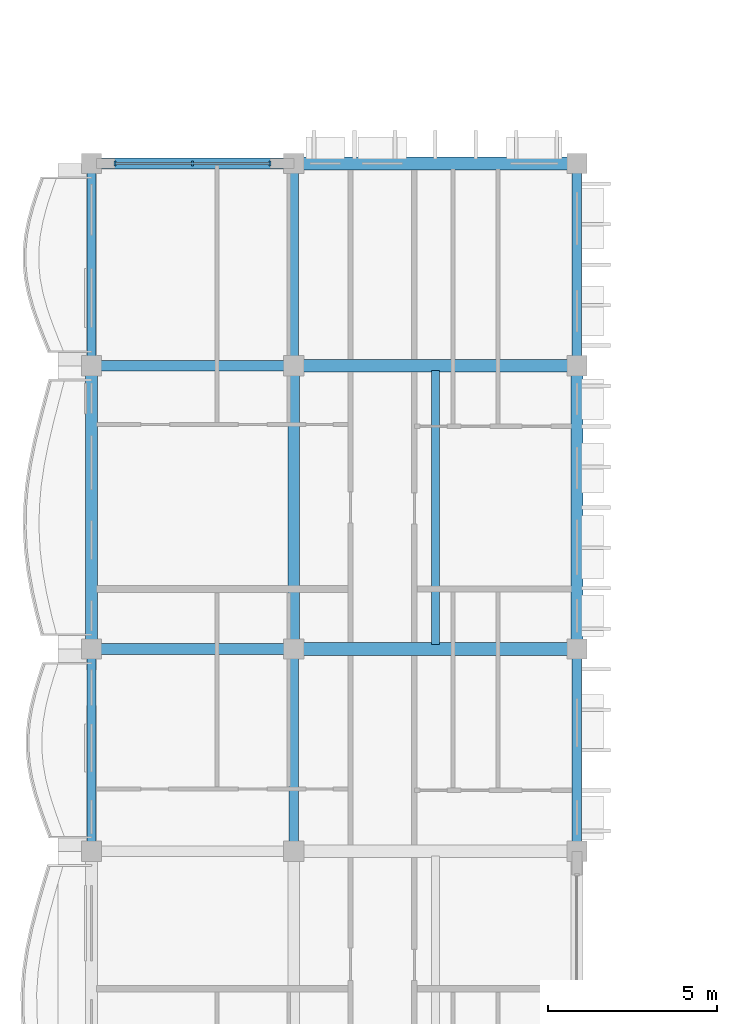
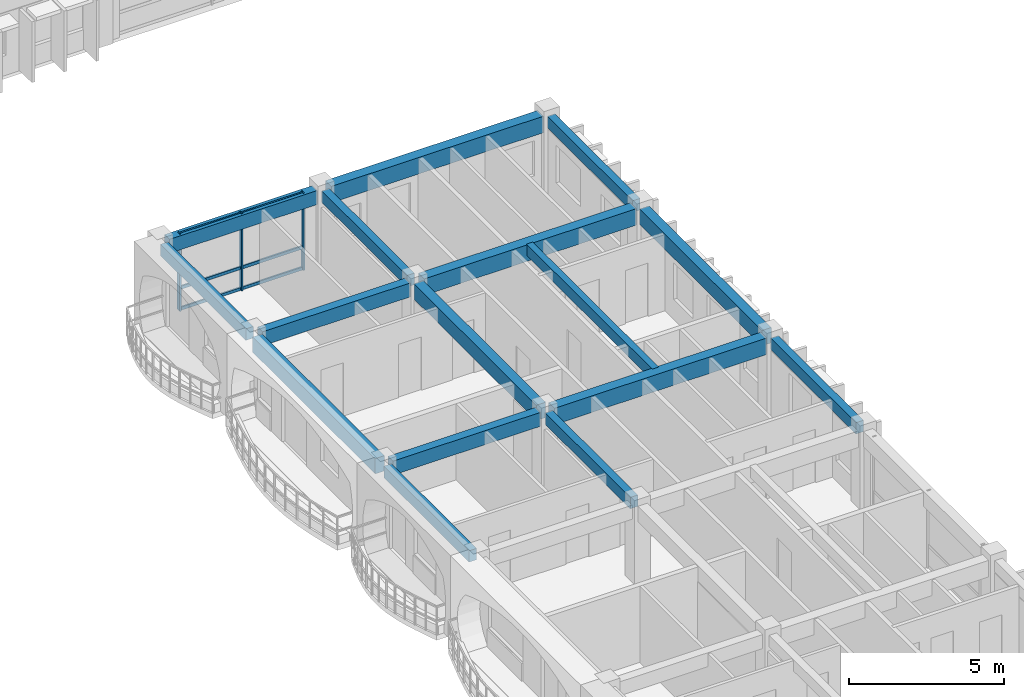
# One storey, part 6 of 76: 16 beams, 6 members, 1 element without a shape of its own.
"""IFC4 building model written with IfcOpenShell, lengths in metres."""

from ifc_helpers import new_model, si_unit, direction, frame, origin, origin_2d, place, context, subcontext, project, spatial, rectangle, extrude, material, material_profile, profile_set, type_object, element, aggregate, save


model = new_model("IFC4")

# Units and contexts
model_context = context("Model", 3, precision=1e-05, world=origin(), true_north=direction((0.0, 1.0)))
body_context = subcontext(model_context, "Body", "Model", "MODEL_VIEW")
ifc_project = project(units=[si_unit("LENGTHUNIT", "METRE"), si_unit("AREAUNIT", "SQUARE_METRE"), si_unit("VOLUMEUNIT", "CUBIC_METRE"), si_unit("PLANEANGLEUNIT", "RADIAN"), si_unit("MASSUNIT", "GRAM", prefix="KILO"), si_unit("THERMODYNAMICTEMPERATUREUNIT", "KELVIN")], contexts=[model_context])

# Site, building, storey
site_placement = place(None, origin())
site = spatial("IfcSite", under=ifc_project, at=site_placement, CompositionType="ELEMENT")
building_placement = place(site_placement, origin())
building = spatial("IfcBuilding", under=site, at=building_placement, Name="Thalorik Housing Commons", CompositionType="ELEMENT")
storey_placement = place(building_placement, frame((0.0, 0.0, 18.0)))
storey = spatial("IfcBuildingStorey", under=building, at=storey_placement, Name="L05", CompositionType="ELEMENT", Elevation=18.0)

# Curtain wall, members
ifc_material_1 = material(Name="Anodised aluminium and solar-control low-E glass", Category="aluminium")
curtain_wall_type = type_object("IfcCurtainWallType", Name="ARC-CW-LOUNGE", PredefinedType="USERDEFINED", material=ifc_material_1)
curtain_wall_placement = place(storey_placement, origin())
curtain_wall = element("IfcCurtainWall", 1, at=curtain_wall_placement, inside=storey, type_object=curtain_wall_type, Name="L05 Curtain Wall CW-RES-L05-C-147", ObjectType="CURTAIN WALL", PredefinedType="USERDEFINED")
ifc_material_2 = material(Name="Anodised aluminium 6063-T6", Category="aluminium")
ifc_material_profile_1 = material_profile(ifc_material_2, rectangle(XDim=0.06005859375, YDim=0.159912109375, at=origin_2d()), Name="ALU MUL 60x160", Category="aluminium")
ifc_profile_set_1 = profile_set([ifc_material_profile_1], Name="Anodised aluminium 6063-T6")
member_type_1 = type_object("IfcMemberType", Name="ARC-CW-MUL-60x160", PredefinedType="MULLION", material=ifc_profile_set_1)
member_1_placement = place(storey_placement, frame((13.699951171875, 57.60009765625, 0.0), z_axis=(0.0, 0.0, 1.0), x_axis=(-1.0, 0.0, 0.0)))
member_1 = element("IfcMember", 2, at=member_1_placement, type_object=member_type_1, Name="CW-RES-L05-C-147 Mullion 1", PredefinedType="MULLION", context=body_context, shape_type="SweptSolid", body=[
    extrude(rectangle(XDim=0.06005859375, YDim=0.159912109375, at=origin_2d()), origin(), (0.0, 0.0, 1.0), 3.0400390625),
])
member_2_placement = place(storey_placement, frame((11.39990234375, 57.60009765625, 0.0), z_axis=(0.0, 0.0, 1.0), x_axis=(-1.0, 0.0, 0.0)))
member_2 = element("IfcMember", 3, at=member_2_placement, type_object=member_type_1, Name="CW-RES-L05-C-147 Mullion 2", PredefinedType="MULLION", context=body_context, shape_type="SweptSolid", body=[
    extrude(rectangle(XDim=0.06005859375, YDim=0.159912109375, at=origin_2d()), origin(), (0.0, 0.0, 1.0), 3.0400390625),
])
member_3_placement = place(storey_placement, frame((9.10009765625, 57.60009765625, 0.0), z_axis=(0.0, 0.0, 1.0), x_axis=(-1.0, 0.0, 0.0)))
member_3 = element("IfcMember", 4, at=member_3_placement, type_object=member_type_1, Name="CW-RES-L05-C-147 Mullion 3", PredefinedType="MULLION", context=body_context, shape_type="SweptSolid", body=[
    extrude(rectangle(XDim=0.06005859375, YDim=0.159912109375, at=origin_2d()), origin(), (0.0, 0.0, 1.0), 3.0400390625),
])
ifc_material_profile_2 = material_profile(ifc_material_2, rectangle(XDim=0.06005859375, YDim=0.1201171875, at=origin_2d()), Name="ALU TRN 60x120", Category="aluminium")
ifc_profile_set_2 = profile_set([ifc_material_profile_2], Name="Anodised aluminium 6063-T6")
member_type_2 = type_object("IfcMemberType", Name="ARC-CW-TRN-60x120", PredefinedType="USERDEFINED", material=ifc_profile_set_2)
member_4_placement = place(storey_placement, frame((13.699951171875, 57.60009765625, 0.054931640625), z_axis=(-1.0, 0.0, 0.0), x_axis=(0.0, -1.0, 0.0)))
member_4 = element("IfcMember", 5, at=member_4_placement, type_object=member_type_2, Name="CW-RES-L05-C-147 Transom 1", ObjectType="TRANSOM", PredefinedType="USERDEFINED", context=body_context, shape_type="SweptSolid", body=[
    extrude(rectangle(XDim=0.06005859375, YDim=0.1201171875, at=origin_2d()), origin(), (0.0, 0.0, 1.0), 4.599853515625),
])
member_5_placement = place(storey_placement, frame((13.699951171875, 57.60009765625, 0.8798828125), z_axis=(-1.0, 0.0, 0.0), x_axis=(0.0, -1.0, 0.0)))
member_5 = element("IfcMember", 6, at=member_5_placement, type_object=member_type_2, Name="CW-RES-L05-C-147 Transom 2", ObjectType="TRANSOM", PredefinedType="USERDEFINED", context=body_context, shape_type="SweptSolid", body=[
    extrude(rectangle(XDim=0.06005859375, YDim=0.1201171875, at=origin_2d()), origin(), (0.0, 0.0, 1.0), 4.599853515625),
])
member_6_placement = place(storey_placement, frame((13.699951171875, 57.60009765625, 2.985107421875), z_axis=(-1.0, 0.0, 0.0), x_axis=(0.0, -1.0, 0.0)))
member_6 = element("IfcMember", 7, at=member_6_placement, type_object=member_type_2, Name="CW-RES-L05-C-147 Transom 3", ObjectType="TRANSOM", PredefinedType="USERDEFINED", context=body_context, shape_type="SweptSolid", body=[
    extrude(rectangle(XDim=0.06005859375, YDim=0.1201171875, at=origin_2d()), origin(), (0.0, 0.0, 1.0), 4.599853515625),
])
aggregate(curtain_wall, [member_1, member_2, member_3, member_4, member_5, member_6])

# Beams
ifc_material_3 = material(Name="Precast concrete C40/50", Category="concrete")
ifc_material_profile_3 = material_profile(ifc_material_3, rectangle(XDim=0.280029296875, YDim=0.449951171875, at=origin_2d()), Name="PC 280x450", Category="concrete")
ifc_profile_set_3 = profile_set([ifc_material_profile_3], Name="Precast concrete C40/50")
beam_type_1 = type_object("IfcBeamType", Name="STR-BM-PC280x450", PredefinedType="BEAM", material=ifc_profile_set_3)
for number, where, z_axis, x_axis, name in (
    (8, (8.39990234375, 37.449951171875, 2.81494140625), (0.0, 1.0, 0.0), (-1.0, 0.0, 0.0), "L05 Beam B-450"),
    (9, (8.39990234375, 51.85009765625, 2.81494140625), (0.0, 1.0, 0.0), (-1.0, 0.0, 0.0), "L05 Beam B-450"),
    (10, (14.39990234375, 37.449951171875, 2.81494140625), (0.0, 1.0, 0.0), (-1.0, 0.0, 0.0), "L05 Beam B-450"),
    (11, (14.39990234375, 51.85009765625, 2.81494140625), (0.0, 1.0, 0.0), (-1.0, 0.0, 0.0), "L05 Beam B-450"),
    (12, (22.800048828125, 37.449951171875, 2.81494140625), (0.0, 1.0, 0.0), (-1.0, 0.0, 0.0), "L05 Beam B-450"),
    (13, (22.800048828125, 51.85009765625, 2.81494140625), (0.0, 1.0, 0.0), (-1.0, 0.0, 0.0), "L05 Beam B-450"),
):
    element("IfcBeam", number, at=place(storey_placement, frame(where, z_axis=z_axis, x_axis=x_axis)), inside=storey, type_object=beam_type_1, Name=name, PredefinedType="BEAM", context=body_context, shape_type="SweptSolid", body=[
        extrude(rectangle(XDim=0.280029296875, YDim=0.449951171875, at=origin_2d()), origin(), (0.0, 0.0, 1.0), 5.5),
    ])
ifc_material_profile_4 = material_profile(ifc_material_3, rectangle(XDim=0.320068359375, YDim=0.550048828125, at=origin_2d()), Name="PC 320x550", Category="concrete")
ifc_profile_set_4 = profile_set([ifc_material_profile_4], Name="Precast concrete C40/50")
beam_type_2 = type_object("IfcBeamType", Name="STR-BM-PC320x550", PredefinedType="BEAM", material=ifc_profile_set_4)
for number, where, z_axis, x_axis, name in (
    (14, (8.64990234375, 43.199951171875, 2.764892578125), (1.0, 0.0, 0.0), (0.0, 1.0, 0.0), "L05 Beam B-550"),
    (15, (8.64990234375, 51.60009765625, 2.764892578125), (1.0, 0.0, 0.0), (0.0, 1.0, 0.0), "L05 Beam B-550"),
    (16, (8.64990234375, 57.60009765625, 2.764892578125), (1.0, 0.0, 0.0), (0.0, 1.0, 0.0), "L05 Beam B-550"),
):
    element("IfcBeam", number, at=place(storey_placement, frame(where, z_axis=z_axis, x_axis=x_axis)), inside=storey, type_object=beam_type_2, Name=name, PredefinedType="BEAM", context=body_context, shape_type="SweptSolid", body=[
        extrude(rectangle(XDim=0.320068359375, YDim=0.550048828125, at=origin_2d()), origin(), (0.0, 0.0, 1.0), 5.5),
    ])
ifc_material_profile_5 = material_profile(ifc_material_3, rectangle(XDim=0.35009765625, YDim=0.60009765625, at=origin_2d()), Name="PC 350x600", Category="concrete")
ifc_profile_set_5 = profile_set([ifc_material_profile_5], Name="Precast concrete C40/50")
beam_type_3 = type_object("IfcBeamType", Name="STR-BM-PC350x600", PredefinedType="BEAM", material=ifc_profile_set_5)
for number, where, z_axis, x_axis, name in (
    (17, (8.39990234375, 43.449951171875, 2.739990234375), (0.0, 1.0, 0.0), (-1.0, 0.0, 0.0), "L05 Beam B-600"),
    (18, (14.39990234375, 43.449951171875, 2.739990234375), (0.0, 1.0, 0.0), (-1.0, 0.0, 0.0), "L05 Beam B-600"),
    (19, (22.800048828125, 43.449951171875, 2.739990234375), (0.0, 1.0, 0.0), (-1.0, 0.0, 0.0), "L05 Beam B-600"),
):
    element("IfcBeam", number, at=place(storey_placement, frame(where, z_axis=z_axis, x_axis=x_axis)), inside=storey, type_object=beam_type_3, Name=name, PredefinedType="BEAM", context=body_context, shape_type="SweptSolid", body=[
        extrude(rectangle(XDim=0.35009765625, YDim=0.60009765625, at=origin_2d()), origin(), (0.0, 0.0, 1.0), 7.900146484375),
    ])
ifc_material_profile_6 = material_profile(ifc_material_3, rectangle(XDim=0.3798828125, YDim=0.64990234375, at=origin_2d()), Name="PC 380x650", Category="concrete")
ifc_profile_set_6 = profile_set([ifc_material_profile_6], Name="Precast concrete C40/50")
beam_type_4 = type_object("IfcBeamType", Name="STR-BM-PC380x650", PredefinedType="BEAM", material=ifc_profile_set_6)
for number, where, z_axis, x_axis, name in (
    (20, (14.64990234375, 43.199951171875, 2.715087890625), (1.0, 0.0, 0.0), (0.0, 1.0, 0.0), "L05 Beam B-650"),
    (21, (14.64990234375, 51.60009765625, 2.715087890625), (1.0, 0.0, 0.0), (0.0, 1.0, 0.0), "L05 Beam B-650"),
    (22, (14.64990234375, 57.60009765625, 2.715087890625), (1.0, 0.0, 0.0), (0.0, 1.0, 0.0), "L05 Beam B-650"),
):
    element("IfcBeam", number, at=place(storey_placement, frame(where, z_axis=z_axis, x_axis=x_axis)), inside=storey, type_object=beam_type_4, Name=name, PredefinedType="BEAM", context=body_context, shape_type="SweptSolid", body=[
        extrude(rectangle(XDim=0.3798828125, YDim=0.64990234375, at=origin_2d()), origin(), (0.0, 0.0, 1.0), 7.900146484375),
    ])
ifc_material_profile_7 = material_profile(ifc_material_3, rectangle(XDim=0.239990234375, YDim=0.43994140625, at=origin_2d()), Name="PC JST 240x440", Category="concrete")
ifc_profile_set_7 = profile_set([ifc_material_profile_7], Name="Precast concrete C40/50")
beam_type_5 = type_object("IfcBeamType", Name="STR-JST-PC240x440", PredefinedType="JOIST", material=ifc_profile_set_7)
beam_placement = place(storey_placement, frame((18.60009765625, 43.340087890625, 2.820068359375), z_axis=(0.0, 1.0, 0.0), x_axis=(-1.0, 0.0, 0.0)))
element("IfcBeam", 23, at=beam_placement, inside=storey, type_object=beam_type_5, Name="L05 Beam J-440", PredefinedType="JOIST", context=body_context, shape_type="SweptSolid", body=[
    extrude(rectangle(XDim=0.239990234375, YDim=0.43994140625, at=origin_2d()), origin(), (0.0, 0.0, 1.0), 8.119873046875),
])

save(model, "model.ifc")
